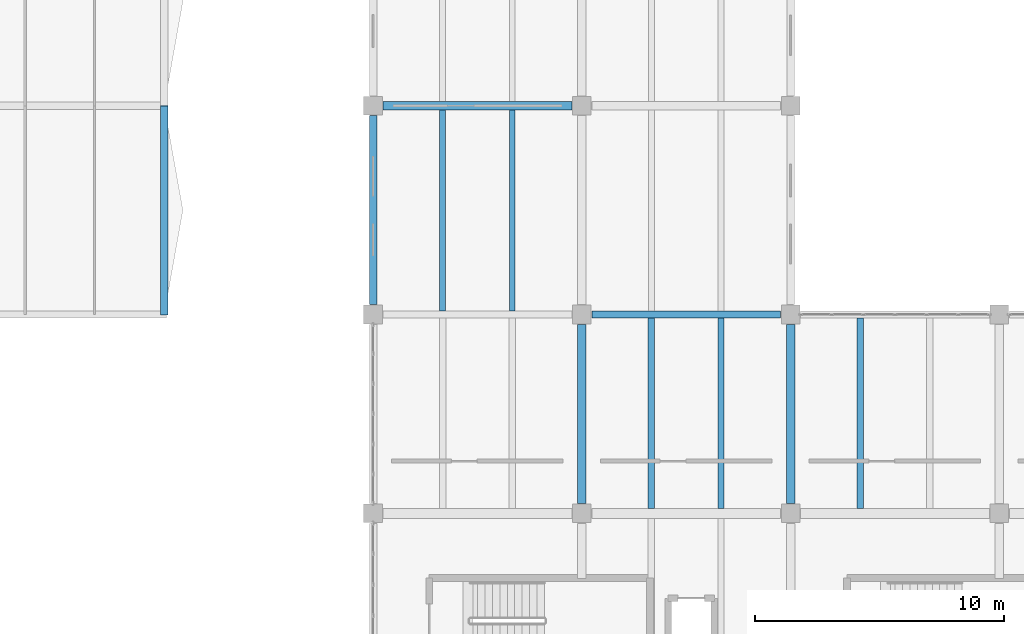
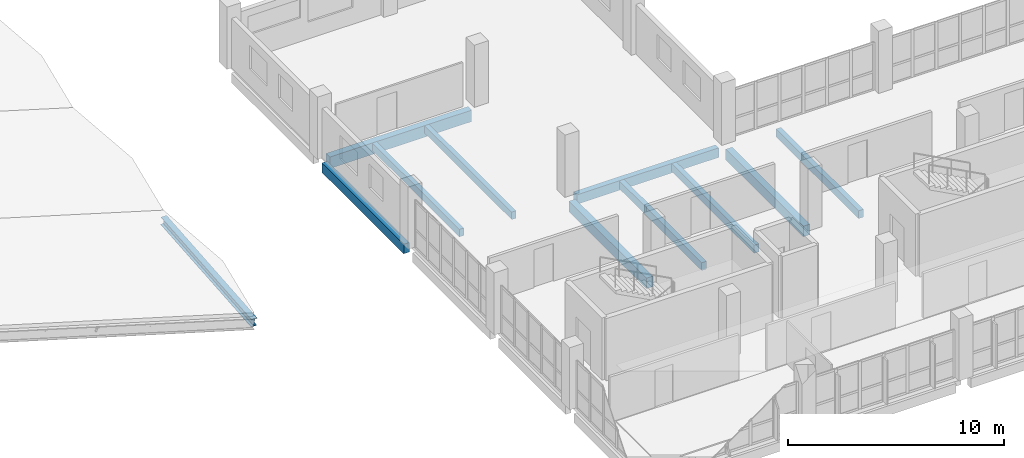
# One storey, part 11 of 95: 10 beams, 1 member.
"""IFC4 building model written with IfcOpenShell, lengths in metres."""

from ifc_helpers import new_model, si_unit, direction, frame, origin, origin_2d, place, context, subcontext, project, spatial, rectangle, i_section, extrude, material, material_profile, profile_set, type_object, element, save


model = new_model("IFC4")

# Units and contexts
model_context = context("Model", 3, precision=1e-05, world=origin(), true_north=direction((0.0, 1.0)))
body_context = subcontext(model_context, "Body", "Model", "MODEL_VIEW")
ifc_project = project(units=[si_unit("LENGTHUNIT", "METRE"), si_unit("AREAUNIT", "SQUARE_METRE"), si_unit("VOLUMEUNIT", "CUBIC_METRE"), si_unit("PLANEANGLEUNIT", "RADIAN"), si_unit("MASSUNIT", "GRAM", prefix="KILO"), si_unit("THERMODYNAMICTEMPERATUREUNIT", "KELVIN"), si_unit("POWERUNIT", "WATT")], contexts=[model_context])

# Site, building, storey
site_placement = place(None, origin())
site = spatial("IfcSite", under=ifc_project, at=site_placement, CompositionType="ELEMENT")
building_placement = place(site_placement, origin())
building = spatial("IfcBuilding", under=site, at=building_placement, Name="Mavoryth Pier Ferry Terminal", CompositionType="ELEMENT")
storey_placement = place(building_placement, frame((0.0, 0.0, 9.60009765625)))
storey = spatial("IfcBuildingStorey", under=building, at=storey_placement, Name="L02", CompositionType="ELEMENT", Elevation=9.60009765625)

# Member
ifc_material_1 = material(Name="Steel S355J2", Category="steel")
ifc_material_profile_1 = material_profile(ifc_material_1, i_section(OverallWidth=0.300048828125, OverallDepth=0.449951171875, WebThickness=0.013916015625, FlangeThickness=0.02587890625, FilletRadius=0.027099609375, at=origin_2d()), Name="HEB 450", Category="steel")
ifc_profile_set_1 = profile_set([ifc_material_profile_1], Name="Steel S355J2 - HEB 450")
member_type = type_object("IfcMemberType", Name="Chord-Eave-HEB450", PredefinedType="CHORD", material=ifc_profile_set_1)
member_placement = place(storey_placement, frame((33.60009765625, 22.0, -1.556884765625), z_axis=(0.0, 0.9964033157, 0.084737432475), x_axis=(-1.0, 0.0, 0.0)))
element("IfcMember", 1, at=member_placement, inside=storey, type_object=member_type, Name="Steel Member MB-L02-0027", PredefinedType="CHORD", context=body_context, shape_type="SweptSolid", body=[
    extrude(i_section(OverallWidth=0.300048828125, OverallDepth=0.449951171875, WebThickness=0.013916015625, FlangeThickness=0.02587890625, FilletRadius=0.027099609375, at=origin_2d()), origin(), (0.0, 0.0, 1.0), 8.43017578125),
])

# Beams
ifc_material_2 = material(Name="Concrete C35/45", Category="concrete")
ifc_material_profile_2 = material_profile(ifc_material_2, rectangle(XDim=0.35009765625, YDim=0.60009765625, at=origin_2d()), Name="RC 350x600", Category="concrete")
ifc_profile_set_2 = profile_set([ifc_material_profile_2], Name="Concrete C35/45 - RC 350x600")
beam_type_1 = type_object("IfcBeamType", Name="Girder-RC-350x600", PredefinedType="BEAM", material=ifc_profile_set_2)
for number, where, z_axis, x_axis, name in (
    (2, (50.39990234375, 14.39990234375, -0.56005859375), (0.0, 1.0, 0.0), (-1.0, 0.0, 0.0), "Beam B02-BG08-0980"),
    (3, (58.800048828125, 14.39990234375, -0.56005859375), (0.0, 1.0, 0.0), (-1.0, 0.0, 0.0), "Beam B02-BG08-0983"),
):
    element("IfcBeam", number, at=place(storey_placement, frame(where, z_axis=z_axis, x_axis=x_axis)), inside=storey, type_object=beam_type_1, Name=name, PredefinedType="BEAM", context=body_context, shape_type="SweptSolid", body=[
        extrude(rectangle(XDim=0.35009765625, YDim=0.60009765625, at=origin_2d()), origin(), (0.0, 0.0, 1.0), 7.2001953125),
    ])
ifc_material_profile_3 = material_profile(ifc_material_2, rectangle(XDim=0.35009765625, YDim=0.64990234375, at=origin_2d()), Name="RC 350x650", Category="concrete")
ifc_profile_set_3 = profile_set([ifc_material_profile_3], Name="Concrete C35/45 - RC 350x650")
beam_type_2 = type_object("IfcBeamType", Name="Girder-RC-350x650", PredefinedType="BEAM", material=ifc_profile_set_3)
beam_1_placement = place(storey_placement, frame((42.39990234375, 30.39990234375, -0.585205078125), z_axis=(1.0, 0.0, 0.0), x_axis=(0.0, 1.0, 0.0)))
element("IfcBeam", 4, at=beam_1_placement, inside=storey, type_object=beam_type_2, Name="Beam B02-BG07-1028", PredefinedType="BEAM", context=body_context, shape_type="SweptSolid", body=[
    extrude(rectangle(XDim=0.35009765625, YDim=0.64990234375, at=origin_2d()), origin(), (0.0, 0.0, 1.0), 7.60009765625),
])
ifc_material_profile_4 = material_profile(ifc_material_2, rectangle(XDim=0.239990234375, YDim=0.419921875, at=origin_2d()), Name="RC 240x420", Category="concrete")
ifc_profile_set_4 = profile_set([ifc_material_profile_4], Name="Concrete C35/45 - RC 240x420")
beam_type_3 = type_object("IfcBeamType", Name="Joist-RC-240x420", PredefinedType="JOIST", material=ifc_profile_set_4)
for number, where, z_axis, x_axis, name in (
    (5, (44.800048828125, 22.14990234375, -0.47021484375), (0.0, 1.0, 0.0), (-1.0, 0.0, 0.0), "Beam B02-BJ04-1037"),
    (6, (47.60009765625, 22.14990234375, -0.47021484375), (0.0, 1.0, 0.0), (-1.0, 0.0, 0.0), "Beam B02-BJ04-1038"),
):
    element("IfcBeam", number, at=place(storey_placement, frame(where, z_axis=z_axis, x_axis=x_axis)), inside=storey, type_object=beam_type_3, Name=name, PredefinedType="JOIST", context=body_context, shape_type="SweptSolid", body=[
        extrude(rectangle(XDim=0.239990234375, YDim=0.419921875, at=origin_2d()), origin(), (0.0, 0.0, 1.0), 8.0751953125),
    ])
ifc_material_profile_5 = material_profile(ifc_material_2, rectangle(XDim=0.260009765625, YDim=0.449951171875, at=origin_2d()), Name="RC 260x450", Category="concrete")
ifc_profile_set_5 = profile_set([ifc_material_profile_5], Name="Concrete C35/45 - RC 260x450")
beam_type_4 = type_object("IfcBeamType", Name="Joist-RC-260x450", PredefinedType="JOIST", material=ifc_profile_set_5)
for number, where, z_axis, x_axis, name in (
    (7, (53.199951171875, 14.199951171875, -0.485107421875), (0.0, 1.0, 0.0), (-1.0, 0.0, 0.0), "Beam B02-BJ03-1004"),
    (8, (56.0, 14.199951171875, -0.485107421875), (0.0, 1.0, 0.0), (-1.0, 0.0, 0.0), "Beam B02-BJ03-1005"),
    (9, (61.60009765625, 14.199951171875, -0.485107421875), (0.0, 1.0, 0.0), (-1.0, 0.0, 0.0), "Beam B02-BJ03-1008"),
):
    element("IfcBeam", number, at=place(storey_placement, frame(where, z_axis=z_axis, x_axis=x_axis)), inside=storey, type_object=beam_type_4, Name=name, PredefinedType="JOIST", context=body_context, shape_type="SweptSolid", body=[
        extrude(rectangle(XDim=0.260009765625, YDim=0.449951171875, at=origin_2d()), origin(), (0.0, 0.0, 1.0), 7.650146484375),
    ])
ifc_material_profile_6 = material_profile(ifc_material_2, rectangle(XDim=0.300048828125, YDim=0.5400390625, at=origin_2d()), Name="RC 300x540", Category="concrete")
ifc_profile_set_6 = profile_set([ifc_material_profile_6], Name="Concrete C35/45 - RC 300x540")
beam_type_5 = type_object("IfcBeamType", Name="Spandrel-RC-300x540", PredefinedType="SPANDREL", material=ifc_profile_set_6)
beam_2_placement = place(storey_placement, frame((50.800048828125, 22.0, -0.530029296875), z_axis=(1.0, 0.0, 0.0), x_axis=(0.0, 1.0, 0.0)))
element("IfcBeam", 10, at=beam_2_placement, inside=storey, type_object=beam_type_5, Name="Beam B02-SP02-0970", PredefinedType="SPANDREL", context=body_context, shape_type="SweptSolid", body=[
    extrude(rectangle(XDim=0.300048828125, YDim=0.5400390625, at=origin_2d()), origin(), (0.0, 0.0, 1.0), 7.599853515625),
])
beam_3_placement = place(storey_placement, frame((42.0, 22.39990234375, -0.530029296875), z_axis=(0.0, 1.0, 0.0), x_axis=(-1.0, 0.0, 0.0)))
element("IfcBeam", 11, at=beam_3_placement, inside=storey, type_object=beam_type_5, Name="Beam B02-SP02-1031", PredefinedType="SPANDREL", context=body_context, shape_type="SweptSolid", body=[
    extrude(rectangle(XDim=0.300048828125, YDim=0.5400390625, at=origin_2d()), origin(), (0.0, 0.0, 1.0), 7.60009765625),
])

save(model, "model.ifc")
